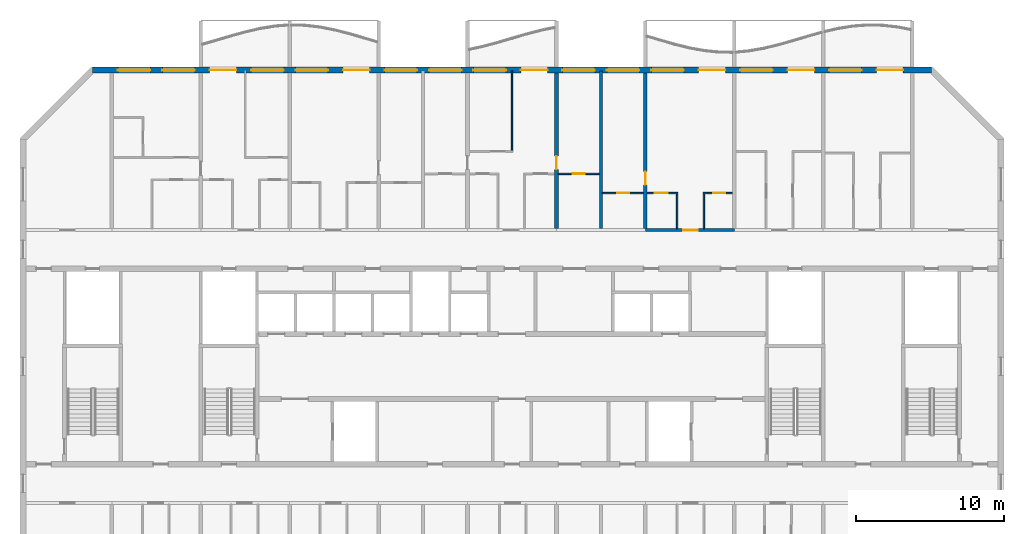
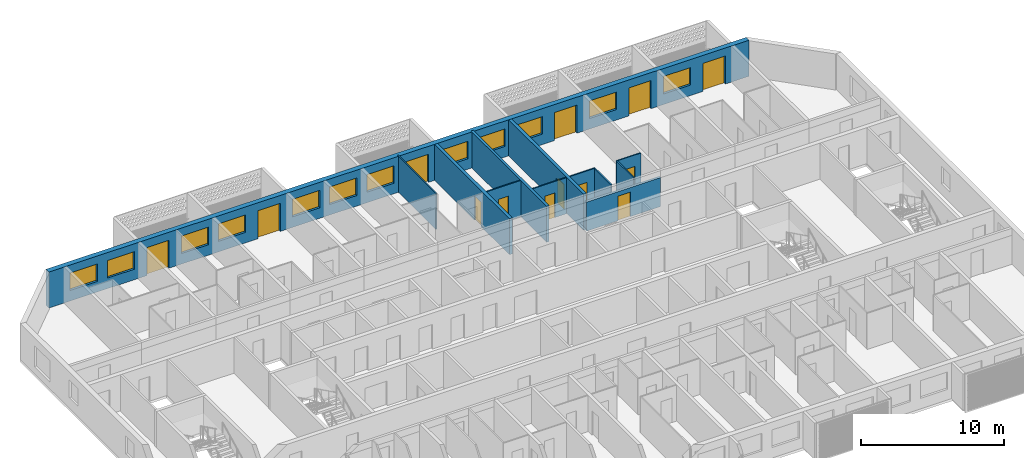
# One storey, part 9 of 26: 13 doors, 12 walls, 12 windows, 25 openings.
"""IFC4 building model written with IfcOpenShell, lengths in metres."""

from ifc_helpers import new_model, si_unit, direction, frame, frame_2d, origin, place, context, subcontext, project, spatial, rectangle, extrude, material, layer, layer_set, type_object, element, fill, save


model = new_model("IFC4")

# Units and contexts
model_context = context("Model", 3, precision=1e-05, world=origin(), true_north=direction((0.0, 1.0)))
body_context = subcontext(model_context, "Body", "Model", "MODEL_VIEW")
ifc_project = project(units=[si_unit("LENGTHUNIT", "METRE"), si_unit("AREAUNIT", "SQUARE_METRE"), si_unit("VOLUMEUNIT", "CUBIC_METRE"), si_unit("PLANEANGLEUNIT", "RADIAN"), si_unit("MASSUNIT", "GRAM", prefix="KILO")], contexts=[model_context])

# Site, building, storey
site_placement = place(None, origin())
site = spatial("IfcSite", under=ifc_project, at=site_placement, CompositionType="ELEMENT")
building_placement = place(site_placement, origin())
building = spatial("IfcBuilding", under=site, at=building_placement, Name="Poui Terraces", CompositionType="ELEMENT")
storey_placement = place(building_placement, frame((0.0, 0.0, 228.0)))
storey = spatial("IfcBuildingStorey", under=building, at=storey_placement, Name="L63", CompositionType="ELEMENT", Elevation=228.0)

# Wall, opening, door
ifc_material_1 = material(Name="Concrete 50 MPa", Category="concrete")
ifc_layer_1 = layer(ifc_material_1, 0.199951171875)
ifc_layer_set_1 = layer_set([ifc_layer_1], Name="Concrete 50 MPa")
wall_type_1 = type_object("IfcWallType", Name="CORRIDOR WALL 200 50MPa", PredefinedType="SHEAR", material=ifc_layer_set_1)
wall_1_placement = place(storey_placement, frame((60.0, 30.39990234375, 0.0), z_axis=(0.0, 0.0, 1.0), x_axis=(1.0, 0.0, 0.0)))
wall_1 = element("IfcWall", 1, at=wall_1_placement, inside=storey, type_object=wall_type_1, Name="CORRIDOR WALL LINE E BAY 8", PredefinedType="SHEAR", context=body_context, shape_type="SweptSolid", body=[
    extrude(rectangle(XDim=6.0, YDim=0.199951171875, at=frame_2d((3.0, 0.0))), origin(), (0.0, 0.0, 1.0), 2.47998046875),
])
opening_1_placement = place(wall_1_placement, frame((2.550048828125, 0.0, 0.0)))
opening_1 = element("IfcOpeningElement", 2, at=opening_1_placement, cuts=wall_1, Name="Opening FD30S", PredefinedType="OPENING", context=body_context, shape_type="SweptSolid", body=[
    extrude(rectangle(XDim=1.0, YDim=2.10009765625, at=frame_2d((0.5, 1.050048828125))), frame((0.0, 0.10986328125, 0.0), z_axis=(0.0, -1.0, 0.0), x_axis=(1.0, 0.0, 0.0)), (0.0, 0.0, 1.0), 0.219970703125),
])
ifc_material_2 = material(Name="Steel fire door", Category="steel")
door_type_1 = type_object("IfcDoorType", Name="FLAT ENTRANCE DOOR 1000 X 2100", OperationType="NOTDEFINED", PredefinedType="DOOR", material=ifc_material_2)
door_1_placement = place(opening_1_placement, origin())
door_1 = element("IfcDoor", 3, at=door_1_placement, inside=storey, type_object=door_type_1, Name="FLAT ENTRANCE DOOR 049", OperationType="SINGLE_SWING_RIGHT", OverallHeight=2.10009765625, OverallWidth=1.0, PredefinedType="DOOR", context=body_context, shape_type="SweptSolid", body=[
    extrude(rectangle(XDim=1.0, YDim=2.10009765625, at=frame_2d((0.5, 1.050048828125))), frame((0.0, 0.02490234375, 0.0), z_axis=(0.0, -1.0, 0.0), x_axis=(1.0, 0.0, 0.0)), (0.0, 0.0, 1.0), 0.050048828125),
])
fill(opening_1, door_1)

ifc_layer_2 = layer(ifc_material_1, 0.25)
ifc_layer_set_2 = layer_set([ifc_layer_2], Name="Concrete 50 MPa")
wall_type_2 = type_object("IfcWallType", Name="CROSS WALL 250 50MPa", PredefinedType="SHEAR", material=ifc_layer_set_2)
wall_2_placement = place(storey_placement, frame((54.0, 30.5, 0.0), z_axis=(0.0, 0.0, 1.0), x_axis=(0.0, 1.0, 0.0)))
wall_2 = element("IfcWall", 4, at=wall_2_placement, inside=storey, type_object=wall_type_2, Name="CROSS WALL LINE 10 NORTH", PredefinedType="SHEAR", context=body_context, shape_type="SweptSolid", body=[
    extrude(rectangle(XDim=10.5, YDim=0.25, at=frame_2d((5.25, 0.0))), origin(), (0.0, 0.0, 1.0), 3.080078125),
])
opening_2_placement = place(wall_2_placement, frame((4.0, 0.0, 0.0)))
opening_2 = element("IfcOpeningElement", 5, at=opening_2_placement, cuts=wall_2, Name="Opening D90", PredefinedType="OPENING", context=body_context, shape_type="SweptSolid", body=[
    extrude(rectangle(XDim=0.89990234375, YDim=2.10009765625, at=frame_2d((0.449951171875, 1.050048828125))), frame((0.0, 0.135009765625, 0.0), z_axis=(0.0, -1.0, 0.0), x_axis=(1.0, 0.0, 0.0)), (0.0, 0.0, 1.0), 0.27001953125),
])
ifc_material_3 = material(Name="Solid core timber door", Category="wood")
door_type_2 = type_object("IfcDoorType", Name="INTERNAL DOOR 900 X 2100", OperationType="NOTDEFINED", PredefinedType="DOOR", material=ifc_material_3)
door_2_placement = place(opening_2_placement, frame((0.89990234375, 0.0, 0.0), z_axis=(0.0, 0.0, 1.0), x_axis=(-1.0, 0.0, 0.0)))
door_2 = element("IfcDoor", 6, at=door_2_placement, inside=storey, type_object=door_type_2, Name="INTERNAL DOOR 045", OperationType="SINGLE_SWING_RIGHT", OverallHeight=2.10009765625, OverallWidth=0.89990234375, PredefinedType="DOOR", context=body_context, shape_type="SweptSolid", body=[
    extrude(rectangle(XDim=0.89990234375, YDim=2.10009765625, at=frame_2d((0.449951171875, 1.050048828125))), frame((0.0, 0.02490234375, 0.0), z_axis=(0.0, -1.0, 0.0), x_axis=(1.0, 0.0, 0.0)), (0.0, 0.0, 1.0), 0.050048828125),
])
fill(opening_2, door_2)

wall_3_placement = place(storey_placement, frame((60.0, 30.5, 0.0), z_axis=(0.0, 0.0, 1.0), x_axis=(0.0, 1.0, 0.0)))
wall_3 = element("IfcWall", 7, at=wall_3_placement, inside=storey, type_object=wall_type_2, Name="CROSS WALL LINE 11 NORTH", PredefinedType="SHEAR", context=body_context, shape_type="SweptSolid", body=[
    extrude(rectangle(XDim=10.5, YDim=0.25, at=frame_2d((5.25, 0.0))), origin(), (0.0, 0.0, 1.0), 3.080078125),
])
opening_3_placement = place(wall_3_placement, frame((2.949951171875, 0.0, 0.0)))
opening_3 = element("IfcOpeningElement", 8, at=opening_3_placement, cuts=wall_3, Name="Opening D90", PredefinedType="OPENING", context=body_context, shape_type="SweptSolid", body=[
    extrude(rectangle(XDim=0.89990234375, YDim=2.10009765625, at=frame_2d((0.449951171875, 1.050048828125))), frame((0.0, 0.135009765625, 0.0), z_axis=(0.0, -1.0, 0.0), x_axis=(1.0, 0.0, 0.0)), (0.0, 0.0, 1.0), 0.27001953125),
])
door_3_placement = place(opening_3_placement, origin())
door_3 = element("IfcDoor", 9, at=door_3_placement, inside=storey, type_object=door_type_2, Name="INTERNAL DOOR 047", OperationType="SINGLE_SWING_LEFT", OverallHeight=2.10009765625, OverallWidth=0.89990234375, PredefinedType="DOOR", context=body_context, shape_type="SweptSolid", body=[
    extrude(rectangle(XDim=0.89990234375, YDim=2.10009765625, at=frame_2d((0.449951171875, 1.050048828125))), frame((0.0, 0.02490234375, 0.0), z_axis=(0.0, -1.0, 0.0), x_axis=(1.0, 0.0, 0.0)), (0.0, 0.0, 1.0), 0.050048828125),
])
fill(opening_3, door_3)

# Wall, openings, doors, windows
ifc_material_4 = material(Name="Precast concrete 40 MPa", Category="concrete")
ifc_layer_3 = layer(ifc_material_4, 0.39990234375)
ifc_layer_set_3 = layer_set([ifc_layer_3], Name="Precast concrete 40 MPa")
wall_type_3 = type_object("IfcWallType", Name="EXTERNAL WALL 400", PredefinedType="STANDARD", material=ifc_layer_set_3)
wall_4_placement = place(storey_placement, frame((79.317138671875, 41.199951171875, 0.0), z_axis=(0.0, 0.0, 1.0), x_axis=(-1.0, 0.0, 0.0)))
wall_4 = element("IfcWall", 10, at=wall_4_placement, inside=storey, type_object=wall_type_3, Name="EXTERNAL WALL N", PredefinedType="STANDARD", context=body_context, shape_type="SweptSolid", body=[
    extrude(rectangle(XDim=56.63427734375, YDim=0.39990234375, at=frame_2d((28.317138671875, 0.0))), origin(), (0.0, 0.0, 1.0), 3.080078125),
])
opening_4_placement = place(wall_4_placement, frame((52.71728515625, 0.0, 0.89990234375)))
opening_4 = element("IfcOpeningElement", 11, at=opening_4_placement, cuts=wall_4, Name="Opening W1", PredefinedType="OPENING", context=body_context, shape_type="SweptSolid", body=[
    extrude(rectangle(XDim=2.199951171875, YDim=1.5, at=frame_2d((1.10009765625, 0.75))), frame((0.0, 0.2099609375, 0.0), z_axis=(0.0, -1.0, 0.0), x_axis=(1.0, 0.0, 0.0)), (0.0, 0.0, 1.0), 0.419921875),
])
opening_5_placement = place(wall_4_placement, frame((49.71728515625, 0.0, 0.89990234375)))
opening_5 = element("IfcOpeningElement", 12, at=opening_5_placement, cuts=wall_4, Name="Opening W1", PredefinedType="OPENING", context=body_context, shape_type="SweptSolid", body=[
    extrude(rectangle(XDim=2.199951171875, YDim=1.5, at=frame_2d((1.10009765625, 0.75))), frame((0.0, 0.2099609375, 0.0), z_axis=(0.0, -1.0, 0.0), x_axis=(1.0, 0.0, 0.0)), (0.0, 0.0, 1.0), 0.419921875),
])
opening_6_placement = place(wall_4_placement, frame((46.917236328125, 0.0, 0.0)))
opening_6 = element("IfcOpeningElement", 13, at=opening_6_placement, cuts=wall_4, Name="Opening BD1", PredefinedType="OPENING", context=body_context, shape_type="SweptSolid", body=[
    extrude(rectangle(XDim=1.800048828125, YDim=2.39990234375, at=frame_2d((0.89990234375, 1.199951171875))), frame((0.0, 0.2099609375, 0.0), z_axis=(0.0, -1.0, 0.0), x_axis=(1.0, 0.0, 0.0)), (0.0, 0.0, 1.0), 0.419921875),
])
opening_7_placement = place(wall_4_placement, frame((43.71728515625, 0.0, 0.89990234375)))
opening_7 = element("IfcOpeningElement", 14, at=opening_7_placement, cuts=wall_4, Name="Opening W1", PredefinedType="OPENING", context=body_context, shape_type="SweptSolid", body=[
    extrude(rectangle(XDim=2.199951171875, YDim=1.5, at=frame_2d((1.10009765625, 0.75))), frame((0.0, 0.2099609375, 0.0), z_axis=(0.0, -1.0, 0.0), x_axis=(1.0, 0.0, 0.0)), (0.0, 0.0, 1.0), 0.419921875),
])
opening_8_placement = place(wall_4_placement, frame((40.71728515625, 0.0, 0.89990234375)))
opening_8 = element("IfcOpeningElement", 15, at=opening_8_placement, cuts=wall_4, Name="Opening W1", PredefinedType="OPENING", context=body_context, shape_type="SweptSolid", body=[
    extrude(rectangle(XDim=2.199951171875, YDim=1.5, at=frame_2d((1.10009765625, 0.75))), frame((0.0, 0.2099609375, 0.0), z_axis=(0.0, -1.0, 0.0), x_axis=(1.0, 0.0, 0.0)), (0.0, 0.0, 1.0), 0.419921875),
])
opening_9_placement = place(wall_4_placement, frame((37.917236328125, 0.0, 0.0)))
opening_9 = element("IfcOpeningElement", 16, at=opening_9_placement, cuts=wall_4, Name="Opening BD1", PredefinedType="OPENING", context=body_context, shape_type="SweptSolid", body=[
    extrude(rectangle(XDim=1.800048828125, YDim=2.39990234375, at=frame_2d((0.89990234375, 1.199951171875))), frame((0.0, 0.2099609375, 0.0), z_axis=(0.0, -1.0, 0.0), x_axis=(1.0, 0.0, 0.0)), (0.0, 0.0, 1.0), 0.419921875),
])
opening_10_placement = place(wall_4_placement, frame((34.71728515625, 0.0, 0.89990234375)))
opening_10 = element("IfcOpeningElement", 17, at=opening_10_placement, cuts=wall_4, Name="Opening W1", PredefinedType="OPENING", context=body_context, shape_type="SweptSolid", body=[
    extrude(rectangle(XDim=2.199951171875, YDim=1.5, at=frame_2d((1.10009765625, 0.75))), frame((0.0, 0.2099609375, 0.0), z_axis=(0.0, -1.0, 0.0), x_axis=(1.0, 0.0, 0.0)), (0.0, 0.0, 1.0), 0.419921875),
])
opening_11_placement = place(wall_4_placement, frame((31.71728515625, 0.0, 0.89990234375)))
opening_11 = element("IfcOpeningElement", 18, at=opening_11_placement, cuts=wall_4, Name="Opening W1", PredefinedType="OPENING", context=body_context, shape_type="SweptSolid", body=[
    extrude(rectangle(XDim=2.199951171875, YDim=1.5, at=frame_2d((1.10009765625, 0.75))), frame((0.0, 0.2099609375, 0.0), z_axis=(0.0, -1.0, 0.0), x_axis=(1.0, 0.0, 0.0)), (0.0, 0.0, 1.0), 0.419921875),
])
opening_12_placement = place(wall_4_placement, frame((28.71728515625, 0.0, 0.89990234375)))
opening_12 = element("IfcOpeningElement", 19, at=opening_12_placement, cuts=wall_4, Name="Opening W1", PredefinedType="OPENING", context=body_context, shape_type="SweptSolid", body=[
    extrude(rectangle(XDim=2.199951171875, YDim=1.5, at=frame_2d((1.10009765625, 0.75))), frame((0.0, 0.2099609375, 0.0), z_axis=(0.0, -1.0, 0.0), x_axis=(1.0, 0.0, 0.0)), (0.0, 0.0, 1.0), 0.419921875),
])
opening_13_placement = place(wall_4_placement, frame((25.917236328125, 0.0, 0.0)))
opening_13 = element("IfcOpeningElement", 20, at=opening_13_placement, cuts=wall_4, Name="Opening BD1", PredefinedType="OPENING", context=body_context, shape_type="SweptSolid", body=[
    extrude(rectangle(XDim=1.800048828125, YDim=2.39990234375, at=frame_2d((0.89990234375, 1.199951171875))), frame((0.0, 0.2099609375, 0.0), z_axis=(0.0, -1.0, 0.0), x_axis=(1.0, 0.0, 0.0)), (0.0, 0.0, 1.0), 0.419921875),
])
opening_14_placement = place(wall_4_placement, frame((22.71728515625, 0.0, 0.89990234375)))
opening_14 = element("IfcOpeningElement", 21, at=opening_14_placement, cuts=wall_4, Name="Opening W1", PredefinedType="OPENING", context=body_context, shape_type="SweptSolid", body=[
    extrude(rectangle(XDim=2.199951171875, YDim=1.5, at=frame_2d((1.10009765625, 0.75))), frame((0.0, 0.2099609375, 0.0), z_axis=(0.0, -1.0, 0.0), x_axis=(1.0, 0.0, 0.0)), (0.0, 0.0, 1.0), 0.419921875),
])
opening_15_placement = place(wall_4_placement, frame((19.71728515625, 0.0, 0.89990234375)))
opening_15 = element("IfcOpeningElement", 22, at=opening_15_placement, cuts=wall_4, Name="Opening W1", PredefinedType="OPENING", context=body_context, shape_type="SweptSolid", body=[
    extrude(rectangle(XDim=2.199951171875, YDim=1.5, at=frame_2d((1.10009765625, 0.75))), frame((0.0, 0.2099609375, 0.0), z_axis=(0.0, -1.0, 0.0), x_axis=(1.0, 0.0, 0.0)), (0.0, 0.0, 1.0), 0.419921875),
])
opening_16_placement = place(wall_4_placement, frame((16.71728515625, 0.0, 0.89990234375)))
opening_16 = element("IfcOpeningElement", 23, at=opening_16_placement, cuts=wall_4, Name="Opening W1", PredefinedType="OPENING", context=body_context, shape_type="SweptSolid", body=[
    extrude(rectangle(XDim=2.199951171875, YDim=1.5, at=frame_2d((1.10009765625, 0.75))), frame((0.0, 0.2099609375, 0.0), z_axis=(0.0, -1.0, 0.0), x_axis=(1.0, 0.0, 0.0)), (0.0, 0.0, 1.0), 0.419921875),
])
opening_17_placement = place(wall_4_placement, frame((13.917236328125, 0.0, 0.0)))
opening_17 = element("IfcOpeningElement", 24, at=opening_17_placement, cuts=wall_4, Name="Opening BD1", PredefinedType="OPENING", context=body_context, shape_type="SweptSolid", body=[
    extrude(rectangle(XDim=1.800048828125, YDim=2.39990234375, at=frame_2d((0.89990234375, 1.199951171875))), frame((0.0, 0.2099609375, 0.0), z_axis=(0.0, -1.0, 0.0), x_axis=(1.0, 0.0, 0.0)), (0.0, 0.0, 1.0), 0.419921875),
])
opening_18_placement = place(wall_4_placement, frame((10.71728515625, 0.0, 0.89990234375)))
opening_18 = element("IfcOpeningElement", 25, at=opening_18_placement, cuts=wall_4, Name="Opening W1", PredefinedType="OPENING", context=body_context, shape_type="SweptSolid", body=[
    extrude(rectangle(XDim=2.199951171875, YDim=1.5, at=frame_2d((1.10009765625, 0.75))), frame((0.0, 0.2099609375, 0.0), z_axis=(0.0, -1.0, 0.0), x_axis=(1.0, 0.0, 0.0)), (0.0, 0.0, 1.0), 0.419921875),
])
opening_19_placement = place(wall_4_placement, frame((7.917236328125, 0.0, 0.0)))
opening_19 = element("IfcOpeningElement", 26, at=opening_19_placement, cuts=wall_4, Name="Opening BD1", PredefinedType="OPENING", context=body_context, shape_type="SweptSolid", body=[
    extrude(rectangle(XDim=1.800048828125, YDim=2.39990234375, at=frame_2d((0.89990234375, 1.199951171875))), frame((0.0, 0.2099609375, 0.0), z_axis=(0.0, -1.0, 0.0), x_axis=(1.0, 0.0, 0.0)), (0.0, 0.0, 1.0), 0.419921875),
])
opening_20_placement = place(wall_4_placement, frame((4.71728515625, 0.0, 0.89990234375)))
opening_20 = element("IfcOpeningElement", 27, at=opening_20_placement, cuts=wall_4, Name="Opening W1", PredefinedType="OPENING", context=body_context, shape_type="SweptSolid", body=[
    extrude(rectangle(XDim=2.199951171875, YDim=1.5, at=frame_2d((1.10009765625, 0.75))), frame((0.0, 0.2099609375, 0.0), z_axis=(0.0, -1.0, 0.0), x_axis=(1.0, 0.0, 0.0)), (0.0, 0.0, 1.0), 0.419921875),
])
opening_21_placement = place(wall_4_placement, frame((1.917236328125, 0.0, 0.0)))
opening_21 = element("IfcOpeningElement", 28, at=opening_21_placement, cuts=wall_4, Name="Opening BD1", PredefinedType="OPENING", context=body_context, shape_type="SweptSolid", body=[
    extrude(rectangle(XDim=1.800048828125, YDim=2.39990234375, at=frame_2d((0.89990234375, 1.199951171875))), frame((0.0, 0.2099609375, 0.0), z_axis=(0.0, -1.0, 0.0), x_axis=(1.0, 0.0, 0.0)), (0.0, 0.0, 1.0), 0.419921875),
])
ifc_material_5 = material(Name="Clear glass in aluminium frame", Category="aluminium")
door_type_3 = type_object("IfcDoorType", Name="BALCONY DOOR 1800X2400", OperationType="DOUBLE_DOOR_SLIDING", PredefinedType="DOOR", material=ifc_material_5)
door_4_placement = place(opening_6_placement, origin())
door_4 = element("IfcDoor", 29, at=door_4_placement, inside=storey, type_object=door_type_3, Name="BD1 BALCONY DOOR", OperationType="DOUBLE_DOOR_SLIDING", OverallHeight=2.39990234375, OverallWidth=1.800048828125, PredefinedType="DOOR", context=body_context, shape_type="SweptSolid", body=[
    extrude(rectangle(XDim=1.800048828125, YDim=2.39990234375, at=frame_2d((0.89990234375, 1.199951171875))), frame((0.0, 0.02490234375, 0.0), z_axis=(0.0, -1.0, 0.0), x_axis=(1.0, 0.0, 0.0)), (0.0, 0.0, 1.0), 0.050048828125),
])
fill(opening_6, door_4)
door_5_placement = place(opening_9_placement, origin())
door_5 = element("IfcDoor", 30, at=door_5_placement, inside=storey, type_object=door_type_3, Name="BD1 BALCONY DOOR", OperationType="DOUBLE_DOOR_SLIDING", OverallHeight=2.39990234375, OverallWidth=1.800048828125, PredefinedType="DOOR", context=body_context, shape_type="SweptSolid", body=[
    extrude(rectangle(XDim=1.800048828125, YDim=2.39990234375, at=frame_2d((0.89990234375, 1.199951171875))), frame((0.0, 0.02490234375, 0.0), z_axis=(0.0, -1.0, 0.0), x_axis=(1.0, 0.0, 0.0)), (0.0, 0.0, 1.0), 0.050048828125),
])
fill(opening_9, door_5)
door_6_placement = place(opening_13_placement, origin())
door_6 = element("IfcDoor", 31, at=door_6_placement, inside=storey, type_object=door_type_3, Name="BD1 BALCONY DOOR", OperationType="DOUBLE_DOOR_SLIDING", OverallHeight=2.39990234375, OverallWidth=1.800048828125, PredefinedType="DOOR", context=body_context, shape_type="SweptSolid", body=[
    extrude(rectangle(XDim=1.800048828125, YDim=2.39990234375, at=frame_2d((0.89990234375, 1.199951171875))), frame((0.0, 0.02490234375, 0.0), z_axis=(0.0, -1.0, 0.0), x_axis=(1.0, 0.0, 0.0)), (0.0, 0.0, 1.0), 0.050048828125),
])
fill(opening_13, door_6)
door_7_placement = place(opening_17_placement, origin())
door_7 = element("IfcDoor", 32, at=door_7_placement, inside=storey, type_object=door_type_3, Name="BD1 BALCONY DOOR", OperationType="DOUBLE_DOOR_SLIDING", OverallHeight=2.39990234375, OverallWidth=1.800048828125, PredefinedType="DOOR", context=body_context, shape_type="SweptSolid", body=[
    extrude(rectangle(XDim=1.800048828125, YDim=2.39990234375, at=frame_2d((0.89990234375, 1.199951171875))), frame((0.0, 0.02490234375, 0.0), z_axis=(0.0, -1.0, 0.0), x_axis=(1.0, 0.0, 0.0)), (0.0, 0.0, 1.0), 0.050048828125),
])
fill(opening_17, door_7)
door_8_placement = place(opening_19_placement, origin())
door_8 = element("IfcDoor", 33, at=door_8_placement, inside=storey, type_object=door_type_3, Name="BD1 BALCONY DOOR", OperationType="DOUBLE_DOOR_SLIDING", OverallHeight=2.39990234375, OverallWidth=1.800048828125, PredefinedType="DOOR", context=body_context, shape_type="SweptSolid", body=[
    extrude(rectangle(XDim=1.800048828125, YDim=2.39990234375, at=frame_2d((0.89990234375, 1.199951171875))), frame((0.0, 0.02490234375, 0.0), z_axis=(0.0, -1.0, 0.0), x_axis=(1.0, 0.0, 0.0)), (0.0, 0.0, 1.0), 0.050048828125),
])
fill(opening_19, door_8)
door_9_placement = place(opening_21_placement, origin())
door_9 = element("IfcDoor", 34, at=door_9_placement, inside=storey, type_object=door_type_3, Name="BD1 BALCONY DOOR", OperationType="DOUBLE_DOOR_SLIDING", OverallHeight=2.39990234375, OverallWidth=1.800048828125, PredefinedType="DOOR", context=body_context, shape_type="SweptSolid", body=[
    extrude(rectangle(XDim=1.800048828125, YDim=2.39990234375, at=frame_2d((0.89990234375, 1.199951171875))), frame((0.0, 0.02490234375, 0.0), z_axis=(0.0, -1.0, 0.0), x_axis=(1.0, 0.0, 0.0)), (0.0, 0.0, 1.0), 0.050048828125),
])
fill(opening_21, door_9)
window_type = type_object("IfcWindowType", Name="WINDOW 2200X1500", PartitioningType="DOUBLE_PANEL_HORIZONTAL", PredefinedType="WINDOW", material=ifc_material_5)
window_1_placement = place(opening_4_placement, origin())
window_1 = element("IfcWindow", 35, at=window_1_placement, inside=storey, type_object=window_type, Name="W1 WINDOW", OverallHeight=1.5, OverallWidth=2.199951171875, PartitioningType="DOUBLE_PANEL_HORIZONTAL", PredefinedType="WINDOW", context=body_context, shape_type="SweptSolid", body=[
    extrude(rectangle(XDim=2.199951171875, YDim=1.5, at=frame_2d((1.10009765625, 0.75))), frame((0.0, 0.030029296875, 0.0), z_axis=(0.0, -1.0, 0.0), x_axis=(1.0, 0.0, 0.0)), (0.0, 0.0, 1.0), 0.06005859375),
])
fill(opening_4, window_1)
window_2_placement = place(opening_5_placement, origin())
window_2 = element("IfcWindow", 36, at=window_2_placement, inside=storey, type_object=window_type, Name="W1 WINDOW", OverallHeight=1.5, OverallWidth=2.199951171875, PartitioningType="DOUBLE_PANEL_HORIZONTAL", PredefinedType="WINDOW", context=body_context, shape_type="SweptSolid", body=[
    extrude(rectangle(XDim=2.199951171875, YDim=1.5, at=frame_2d((1.10009765625, 0.75))), frame((0.0, 0.030029296875, 0.0), z_axis=(0.0, -1.0, 0.0), x_axis=(1.0, 0.0, 0.0)), (0.0, 0.0, 1.0), 0.06005859375),
])
fill(opening_5, window_2)
window_3_placement = place(opening_7_placement, origin())
window_3 = element("IfcWindow", 37, at=window_3_placement, inside=storey, type_object=window_type, Name="W1 WINDOW", OverallHeight=1.5, OverallWidth=2.199951171875, PartitioningType="DOUBLE_PANEL_HORIZONTAL", PredefinedType="WINDOW", context=body_context, shape_type="SweptSolid", body=[
    extrude(rectangle(XDim=2.199951171875, YDim=1.5, at=frame_2d((1.10009765625, 0.75))), frame((0.0, 0.030029296875, 0.0), z_axis=(0.0, -1.0, 0.0), x_axis=(1.0, 0.0, 0.0)), (0.0, 0.0, 1.0), 0.06005859375),
])
fill(opening_7, window_3)
window_4_placement = place(opening_8_placement, origin())
window_4 = element("IfcWindow", 38, at=window_4_placement, inside=storey, type_object=window_type, Name="W1 WINDOW", OverallHeight=1.5, OverallWidth=2.199951171875, PartitioningType="DOUBLE_PANEL_HORIZONTAL", PredefinedType="WINDOW", context=body_context, shape_type="SweptSolid", body=[
    extrude(rectangle(XDim=2.199951171875, YDim=1.5, at=frame_2d((1.10009765625, 0.75))), frame((0.0, 0.030029296875, 0.0), z_axis=(0.0, -1.0, 0.0), x_axis=(1.0, 0.0, 0.0)), (0.0, 0.0, 1.0), 0.06005859375),
])
fill(opening_8, window_4)
window_5_placement = place(opening_10_placement, origin())
window_5 = element("IfcWindow", 39, at=window_5_placement, inside=storey, type_object=window_type, Name="W1 WINDOW", OverallHeight=1.5, OverallWidth=2.199951171875, PartitioningType="DOUBLE_PANEL_HORIZONTAL", PredefinedType="WINDOW", context=body_context, shape_type="SweptSolid", body=[
    extrude(rectangle(XDim=2.199951171875, YDim=1.5, at=frame_2d((1.10009765625, 0.75))), frame((0.0, 0.030029296875, 0.0), z_axis=(0.0, -1.0, 0.0), x_axis=(1.0, 0.0, 0.0)), (0.0, 0.0, 1.0), 0.06005859375),
])
fill(opening_10, window_5)
window_6_placement = place(opening_11_placement, origin())
window_6 = element("IfcWindow", 40, at=window_6_placement, inside=storey, type_object=window_type, Name="W1 WINDOW", OverallHeight=1.5, OverallWidth=2.199951171875, PartitioningType="DOUBLE_PANEL_HORIZONTAL", PredefinedType="WINDOW", context=body_context, shape_type="SweptSolid", body=[
    extrude(rectangle(XDim=2.199951171875, YDim=1.5, at=frame_2d((1.10009765625, 0.75))), frame((0.0, 0.030029296875, 0.0), z_axis=(0.0, -1.0, 0.0), x_axis=(1.0, 0.0, 0.0)), (0.0, 0.0, 1.0), 0.06005859375),
])
fill(opening_11, window_6)
window_7_placement = place(opening_12_placement, origin())
window_7 = element("IfcWindow", 41, at=window_7_placement, inside=storey, type_object=window_type, Name="W1 WINDOW", OverallHeight=1.5, OverallWidth=2.199951171875, PartitioningType="DOUBLE_PANEL_HORIZONTAL", PredefinedType="WINDOW", context=body_context, shape_type="SweptSolid", body=[
    extrude(rectangle(XDim=2.199951171875, YDim=1.5, at=frame_2d((1.10009765625, 0.75))), frame((0.0, 0.030029296875, 0.0), z_axis=(0.0, -1.0, 0.0), x_axis=(1.0, 0.0, 0.0)), (0.0, 0.0, 1.0), 0.06005859375),
])
fill(opening_12, window_7)
window_8_placement = place(opening_14_placement, origin())
window_8 = element("IfcWindow", 42, at=window_8_placement, inside=storey, type_object=window_type, Name="W1 WINDOW", OverallHeight=1.5, OverallWidth=2.199951171875, PartitioningType="DOUBLE_PANEL_HORIZONTAL", PredefinedType="WINDOW", context=body_context, shape_type="SweptSolid", body=[
    extrude(rectangle(XDim=2.199951171875, YDim=1.5, at=frame_2d((1.10009765625, 0.75))), frame((0.0, 0.030029296875, 0.0), z_axis=(0.0, -1.0, 0.0), x_axis=(1.0, 0.0, 0.0)), (0.0, 0.0, 1.0), 0.06005859375),
])
fill(opening_14, window_8)
window_9_placement = place(opening_15_placement, origin())
window_9 = element("IfcWindow", 43, at=window_9_placement, inside=storey, type_object=window_type, Name="W1 WINDOW", OverallHeight=1.5, OverallWidth=2.199951171875, PartitioningType="DOUBLE_PANEL_HORIZONTAL", PredefinedType="WINDOW", context=body_context, shape_type="SweptSolid", body=[
    extrude(rectangle(XDim=2.199951171875, YDim=1.5, at=frame_2d((1.10009765625, 0.75))), frame((0.0, 0.030029296875, 0.0), z_axis=(0.0, -1.0, 0.0), x_axis=(1.0, 0.0, 0.0)), (0.0, 0.0, 1.0), 0.06005859375),
])
fill(opening_15, window_9)
window_10_placement = place(opening_16_placement, origin())
window_10 = element("IfcWindow", 44, at=window_10_placement, inside=storey, type_object=window_type, Name="W1 WINDOW", OverallHeight=1.5, OverallWidth=2.199951171875, PartitioningType="DOUBLE_PANEL_HORIZONTAL", PredefinedType="WINDOW", context=body_context, shape_type="SweptSolid", body=[
    extrude(rectangle(XDim=2.199951171875, YDim=1.5, at=frame_2d((1.10009765625, 0.75))), frame((0.0, 0.030029296875, 0.0), z_axis=(0.0, -1.0, 0.0), x_axis=(1.0, 0.0, 0.0)), (0.0, 0.0, 1.0), 0.06005859375),
])
fill(opening_16, window_10)
window_11_placement = place(opening_18_placement, origin())
window_11 = element("IfcWindow", 45, at=window_11_placement, inside=storey, type_object=window_type, Name="W1 WINDOW", OverallHeight=1.5, OverallWidth=2.199951171875, PartitioningType="DOUBLE_PANEL_HORIZONTAL", PredefinedType="WINDOW", context=body_context, shape_type="SweptSolid", body=[
    extrude(rectangle(XDim=2.199951171875, YDim=1.5, at=frame_2d((1.10009765625, 0.75))), frame((0.0, 0.030029296875, 0.0), z_axis=(0.0, -1.0, 0.0), x_axis=(1.0, 0.0, 0.0)), (0.0, 0.0, 1.0), 0.06005859375),
])
fill(opening_18, window_11)
window_12_placement = place(opening_20_placement, origin())
window_12 = element("IfcWindow", 46, at=window_12_placement, inside=storey, type_object=window_type, Name="W1 WINDOW", OverallHeight=1.5, OverallWidth=2.199951171875, PartitioningType="DOUBLE_PANEL_HORIZONTAL", PredefinedType="WINDOW", context=body_context, shape_type="SweptSolid", body=[
    extrude(rectangle(XDim=2.199951171875, YDim=1.5, at=frame_2d((1.10009765625, 0.75))), frame((0.0, 0.030029296875, 0.0), z_axis=(0.0, -1.0, 0.0), x_axis=(1.0, 0.0, 0.0)), (0.0, 0.0, 1.0), 0.06005859375),
])
fill(opening_20, window_12)

# Wall, opening, door
ifc_material_6 = material(Name="Plasterboard partition")
ifc_layer_4 = layer(ifc_material_6, 0.10009765625)
ifc_layer_set_4 = layer_set([ifc_layer_4], Name="Plasterboard partition")
wall_type_4 = type_object("IfcWallType", Name="FLAT PARTITION 100", PredefinedType="PARTITIONING", material=ifc_layer_set_4)
wall_5_placement = place(storey_placement, frame((57.10009765625, 32.89990234375, 0.0), z_axis=(0.0, 0.0, 1.0), x_axis=(1.0, 0.0, 0.0)))
wall_5 = element("IfcWall", 47, at=wall_5_placement, inside=storey, type_object=wall_type_4, Name="FLAT PARTITION 100", PredefinedType="PARTITIONING", context=body_context, shape_type="SweptSolid", body=[
    extrude(rectangle(XDim=2.764892578125, YDim=0.10009765625, at=frame_2d((1.38232421875, 0.0))), origin(), (0.0, 0.0, 1.0), 3.080078125),
])
opening_22_placement = place(wall_5_placement, frame((1.0, 0.0, 0.0)))
opening_22 = element("IfcOpeningElement", 48, at=opening_22_placement, cuts=wall_5, Name="Opening D80", PredefinedType="OPENING", context=body_context, shape_type="SweptSolid", body=[
    extrude(rectangle(XDim=0.800048828125, YDim=2.10009765625, at=frame_2d((0.39990234375, 1.050048828125))), frame((0.0, 0.06005859375, 0.0), z_axis=(0.0, -1.0, 0.0), x_axis=(1.0, 0.0, 0.0)), (0.0, 0.0, 1.0), 0.1201171875),
])
door_type_4 = type_object("IfcDoorType", Name="BATHROOM, LAUNDRY AND STORE DOOR 800 X 2100", OperationType="NOTDEFINED", PredefinedType="DOOR", material=ifc_material_3)
door_10_placement = place(opening_22_placement, frame((0.800048828125, 0.0, 0.0), z_axis=(0.0, 0.0, 1.0), x_axis=(-1.0, 0.0, 0.0)))
door_10 = element("IfcDoor", 49, at=door_10_placement, inside=storey, type_object=door_type_4, Name="BATHROOM, LAUNDRY AND STORE DOOR 046", OperationType="SINGLE_SWING_RIGHT", OverallHeight=2.10009765625, OverallWidth=0.800048828125, PredefinedType="DOOR", context=body_context, shape_type="SweptSolid", body=[
    extrude(rectangle(XDim=0.800048828125, YDim=2.10009765625, at=frame_2d((0.39990234375, 1.050048828125))), frame((0.0, 0.02490234375, 0.0), z_axis=(0.0, -1.0, 0.0), x_axis=(1.0, 0.0, 0.0)), (0.0, 0.0, 1.0), 0.050048828125),
])
fill(opening_22, door_10)

wall_6_placement = place(storey_placement, frame((60.135009765625, 32.89990234375, 0.0), z_axis=(0.0, 0.0, 1.0), x_axis=(1.0, 0.0, 0.0)))
wall_6 = element("IfcWall", 50, at=wall_6_placement, inside=storey, type_object=wall_type_4, Name="FLAT PARTITION 100", PredefinedType="PARTITIONING", context=body_context, shape_type="SweptSolid", body=[
    extrude(rectangle(XDim=2.06494140625, YDim=0.10009765625, at=frame_2d((1.032470703125, 0.0))), origin(), (0.0, 0.0, 1.0), 3.080078125),
])
opening_23_placement = place(wall_6_placement, frame((0.489990234375, 0.0, 0.0)))
opening_23 = element("IfcOpeningElement", 51, at=opening_23_placement, cuts=wall_6, Name="Opening D90", PredefinedType="OPENING", context=body_context, shape_type="SweptSolid", body=[
    extrude(rectangle(XDim=0.89990234375, YDim=2.10009765625, at=frame_2d((0.449951171875, 1.050048828125))), frame((0.0, 0.06005859375, 0.0), z_axis=(0.0, -1.0, 0.0), x_axis=(1.0, 0.0, 0.0)), (0.0, 0.0, 1.0), 0.1201171875),
])
door_11_placement = place(opening_23_placement, frame((0.89990234375, 0.0, 0.0), z_axis=(0.0, 0.0, 1.0), x_axis=(-1.0, 0.0, 0.0)))
door_11 = element("IfcDoor", 52, at=door_11_placement, inside=storey, type_object=door_type_2, Name="INTERNAL DOOR 048", OperationType="SINGLE_SWING_LEFT", OverallHeight=2.10009765625, OverallWidth=0.89990234375, PredefinedType="DOOR", context=body_context, shape_type="SweptSolid", body=[
    extrude(rectangle(XDim=0.89990234375, YDim=2.10009765625, at=frame_2d((0.449951171875, 1.050048828125))), frame((0.0, 0.02490234375, 0.0), z_axis=(0.0, -1.0, 0.0), x_axis=(1.0, 0.0, 0.0)), (0.0, 0.0, 1.0), 0.050048828125),
])
fill(opening_23, door_11)

wall_7_placement = place(storey_placement, frame((63.89990234375, 32.89990234375, 0.0), z_axis=(0.0, 0.0, 1.0), x_axis=(1.0, 0.0, 0.0)))
wall_7 = element("IfcWall", 53, at=wall_7_placement, inside=storey, type_object=wall_type_4, Name="FLAT PARTITION 100", PredefinedType="PARTITIONING", context=body_context, shape_type="SweptSolid", body=[
    extrude(rectangle(XDim=1.965087890625, YDim=0.10009765625, at=frame_2d((0.982421875, 0.0))), origin(), (0.0, 0.0, 1.0), 3.080078125),
])
opening_24_placement = place(wall_7_placement, frame((0.675048828125, 0.0, 0.0)))
opening_24 = element("IfcOpeningElement", 54, at=opening_24_placement, cuts=wall_7, Name="Opening D80", PredefinedType="OPENING", context=body_context, shape_type="SweptSolid", body=[
    extrude(rectangle(XDim=0.800048828125, YDim=2.10009765625, at=frame_2d((0.39990234375, 1.050048828125))), frame((0.0, 0.06005859375, 0.0), z_axis=(0.0, -1.0, 0.0), x_axis=(1.0, 0.0, 0.0)), (0.0, 0.0, 1.0), 0.1201171875),
])
door_12_placement = place(opening_24_placement, frame((0.800048828125, 0.0, 0.0), z_axis=(0.0, 0.0, 1.0), x_axis=(-1.0, 0.0, 0.0)))
door_12 = element("IfcDoor", 55, at=door_12_placement, inside=storey, type_object=door_type_4, Name="BATHROOM, LAUNDRY AND STORE DOOR 050", OperationType="SINGLE_SWING_RIGHT", OverallHeight=2.10009765625, OverallWidth=0.800048828125, PredefinedType="DOOR", context=body_context, shape_type="SweptSolid", body=[
    extrude(rectangle(XDim=0.800048828125, YDim=2.10009765625, at=frame_2d((0.39990234375, 1.050048828125))), frame((0.0, 0.02490234375, 0.0), z_axis=(0.0, -1.0, 0.0), x_axis=(1.0, 0.0, 0.0)), (0.0, 0.0, 1.0), 0.050048828125),
])
fill(opening_24, door_12)

wall_8_placement = place(storey_placement, frame((54.135009765625, 34.199951171875, 0.0), z_axis=(0.0, 0.0, 1.0), x_axis=(1.0, 0.0, 0.0)))
wall_8 = element("IfcWall", 56, at=wall_8_placement, inside=storey, type_object=wall_type_4, Name="FLAT PARTITION 100", PredefinedType="PARTITIONING", context=body_context, shape_type="SweptSolid", body=[
    extrude(rectangle(XDim=2.764892578125, YDim=0.10009765625, at=frame_2d((1.38232421875, 0.0))), origin(), (0.0, 0.0, 1.0), 3.080078125),
])
opening_25_placement = place(wall_8_placement, frame((0.965087890625, 0.0, 0.0)))
opening_25 = element("IfcOpeningElement", 57, at=opening_25_placement, cuts=wall_8, Name="Opening D80", PredefinedType="OPENING", context=body_context, shape_type="SweptSolid", body=[
    extrude(rectangle(XDim=0.800048828125, YDim=2.10009765625, at=frame_2d((0.39990234375, 1.050048828125))), frame((0.0, 0.06005859375, 0.0), z_axis=(0.0, -1.0, 0.0), x_axis=(1.0, 0.0, 0.0)), (0.0, 0.0, 1.0), 0.1201171875),
])
door_13_placement = place(opening_25_placement, frame((0.800048828125, 0.0, 0.0), z_axis=(0.0, 0.0, 1.0), x_axis=(-1.0, 0.0, 0.0)))
door_13 = element("IfcDoor", 58, at=door_13_placement, inside=storey, type_object=door_type_4, Name="BATHROOM, LAUNDRY AND STORE DOOR 039", OperationType="SINGLE_SWING_LEFT", OverallHeight=2.10009765625, OverallWidth=0.800048828125, PredefinedType="DOOR", context=body_context, shape_type="SweptSolid", body=[
    extrude(rectangle(XDim=0.800048828125, YDim=2.10009765625, at=frame_2d((0.39990234375, 1.050048828125))), frame((0.0, 0.02490234375, 0.0), z_axis=(0.0, -1.0, 0.0), x_axis=(1.0, 0.0, 0.0)), (0.0, 0.0, 1.0), 0.050048828125),
])
fill(opening_25, door_13)

# Walls
wall_9_placement = place(storey_placement, frame((51.0, 35.75, 0.0), z_axis=(0.0, 0.0, 1.0), x_axis=(0.0, 1.0, 0.0)))
element("IfcWall", 59, at=wall_9_placement, inside=storey, type_object=wall_type_4, Name="FLAT PARTITION 100", PredefinedType="PARTITIONING", context=body_context, shape_type="SweptSolid", body=[
    extrude(rectangle(XDim=5.389892578125, YDim=0.10009765625, at=frame_2d((2.69482421875, 0.0))), origin(), (0.0, 0.0, 1.0), 3.080078125),
])
for number, where, z_axis, x_axis, name in (
    (60, (62.14990234375, 30.510009765625, 0.0), (0.0, 0.0, 1.0), (0.0, 1.0, 0.0), "FLAT PARTITION 100"),
    (61, (63.949951171875, 30.510009765625, 0.0), (0.0, 0.0, 1.0), (0.0, 1.0, 0.0), "FLAT PARTITION 100"),
):
    element("IfcWall", number, at=place(storey_placement, frame(where, z_axis=z_axis, x_axis=x_axis)), inside=storey, type_object=wall_type_4, Name=name, PredefinedType="PARTITIONING", context=body_context, shape_type="SweptSolid", body=[
        extrude(rectangle(XDim=2.340087890625, YDim=0.10009765625, at=frame_2d((1.169921875, 0.0))), origin(), (0.0, 0.0, 1.0), 3.080078125),
    ])
ifc_material_7 = material(Name="Fire-rated masonry wall", Category="masonry")
ifc_layer_5 = layer(ifc_material_7, 0.199951171875)
ifc_layer_set_5 = layer_set([ifc_layer_5], Name="Fire-rated masonry wall")
wall_type_5 = type_object("IfcWallType", Name="FLAT PARTY WALL 200", PredefinedType="PARTITIONING", material=ifc_layer_set_5)
wall_10_placement = place(storey_placement, frame((57.0, 30.510009765625, 0.0), z_axis=(0.0, 0.0, 1.0), x_axis=(0.0, 1.0, 0.0)))
element("IfcWall", 62, at=wall_10_placement, inside=storey, type_object=wall_type_5, Name="FLAT PARTY WALL 200", PredefinedType="PARTITIONING", context=body_context, shape_type="SweptSolid", body=[
    extrude(rectangle(XDim=10.6298828125, YDim=0.199951171875, at=frame_2d((5.31494140625, 0.0))), origin(), (0.0, 0.0, 1.0), 3.080078125),
])

save(model, "model.ifc")
